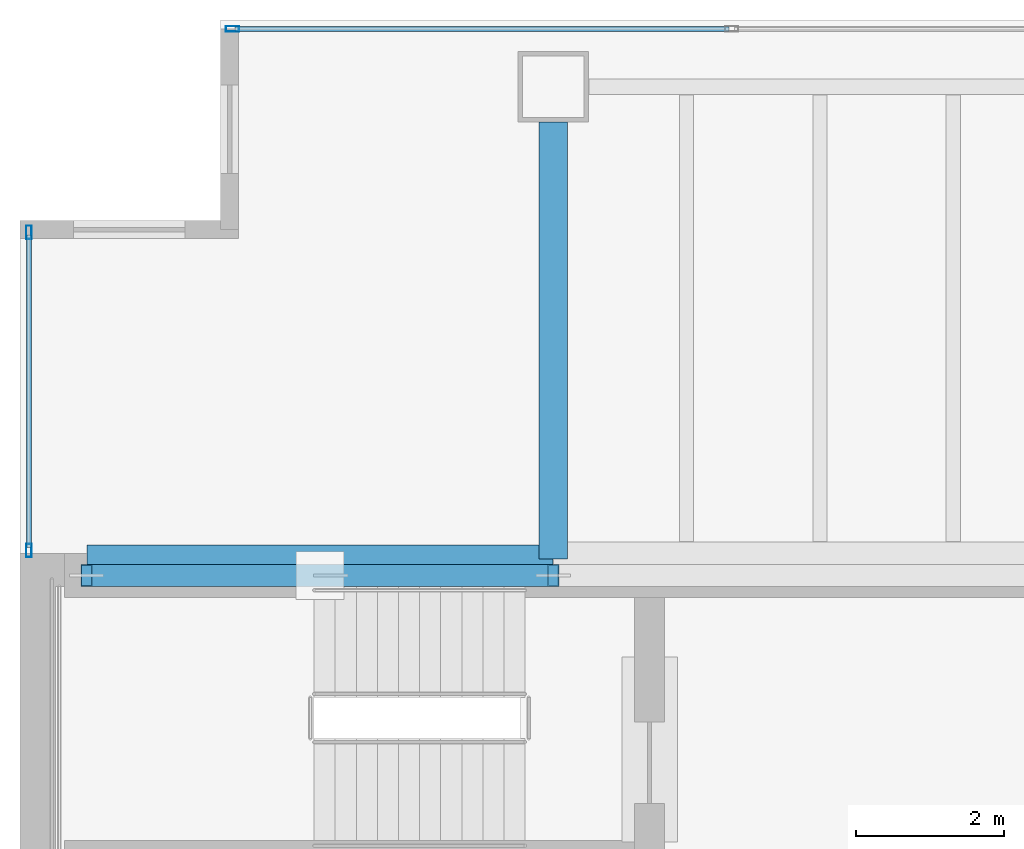
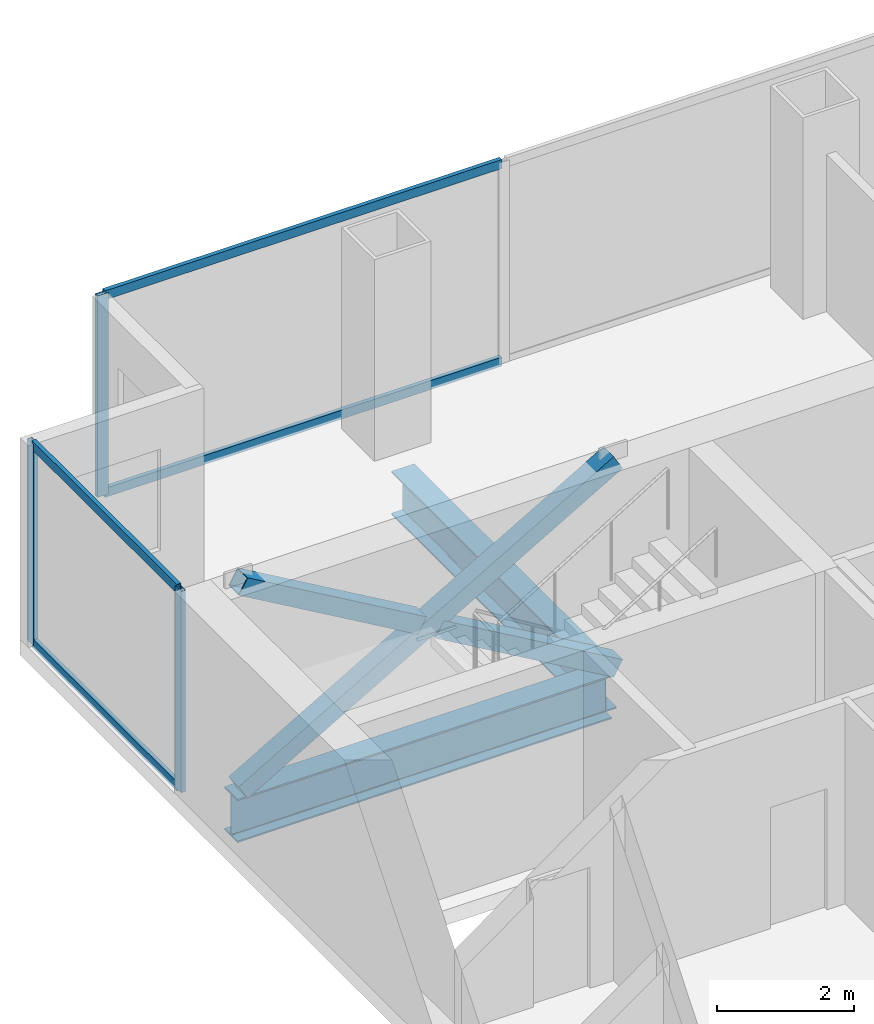
# One storey, part 16 of 24: 10 members, 2 beams, 2 elements without a shape of their own.
"""IFC4 building model written with IfcOpenShell, lengths in metres."""

from ifc_helpers import new_model, si_unit, direction, frame, origin, origin_2d, place, context, subcontext, project, spatial, hollow_rectangle, i_section, extrude, material, material_profile, profile_set, type_object, element, aggregate, save


model = new_model("IFC4")

# Units and contexts
model_context = context("Model", 3, precision=1e-05, world=origin(), true_north=direction((0.0, 1.0)))
body_context = subcontext(model_context, "Body", "Model", "MODEL_VIEW")
ifc_project = project(units=[si_unit("LENGTHUNIT", "METRE"), si_unit("AREAUNIT", "SQUARE_METRE"), si_unit("VOLUMEUNIT", "CUBIC_METRE"), si_unit("PLANEANGLEUNIT", "RADIAN"), si_unit("MASSUNIT", "GRAM", prefix="KILO")], contexts=[model_context])

# Site, building, storey
site_placement = place(None, origin())
site = spatial("IfcSite", under=ifc_project, at=site_placement, CompositionType="ELEMENT")
building_placement = place(site_placement, origin())
building = spatial("IfcBuilding", under=site, at=building_placement, Name="Cobrela Telecom Tower", CompositionType="ELEMENT")
storey_placement = place(building_placement, frame((0.0, 0.0, 106.050048828125)))
storey = spatial("IfcBuildingStorey", under=building, at=storey_placement, Name="L26", CompositionType="ELEMENT", Elevation=106.050048828125)

# Beams
ifc_material_1 = material(Name="Steel ASTM A992 Grade 50", Category="steel")
ifc_material_profile_1 = material_profile(ifc_material_1, i_section(OverallWidth=0.381103515625, OverallDepth=0.77197265625, WebThickness=0.0166015625, FlangeThickness=0.027099609375, FilletRadius=0.01904296875, at=origin_2d()), Name="W30X173")
ifc_profile_set_1 = profile_set([ifc_material_profile_1], Name="Steel ASTM A992 Grade 50")
beam_type = type_object("IfcBeamType", Name="BM-GIRD-04", PredefinedType="USERDEFINED", material=ifc_profile_set_1)
beam_1_placement = place(storey_placement, frame((0.905029296875, 35.919921875, -0.656005859375), z_axis=(1.0, 0.0, 0.0), x_axis=(0.0, 1.0, 0.0)))
element("IfcBeam", 1, at=beam_1_placement, inside=storey, type_object=beam_type, Name="L26 Primary Girder X25", ObjectType="GIRDER", PredefinedType="USERDEFINED", context=body_context, shape_type="SweptSolid", body=[
    extrude(i_section(OverallWidth=0.381103515625, OverallDepth=0.77197265625, WebThickness=0.0166015625, FlangeThickness=0.027099609375, FilletRadius=0.01904296875, at=origin_2d()), origin(), (0.0, 0.0, 1.0), 6.2900390625),
])
beam_2_placement = place(storey_placement, frame((7.199951171875, 35.925048828125, -0.656005859375), z_axis=(0.0, 1.0, 0.0), x_axis=(-1.0, 0.0, 0.0)))
element("IfcBeam", 2, at=beam_2_placement, inside=storey, type_object=beam_type, Name="L26 Primary Girder Y32", ObjectType="GIRDER", PredefinedType="USERDEFINED", context=body_context, shape_type="SweptSolid", body=[
    extrude(i_section(OverallWidth=0.381103515625, OverallDepth=0.77197265625, WebThickness=0.0166015625, FlangeThickness=0.027099609375, FilletRadius=0.01904296875, at=origin_2d()), origin(), (0.0, 0.0, 1.0), 5.89501953125),
])

# Curtain wall, members
ifc_material_2 = material(Name="Anodized Bronze Aluminium 6063-T6", Category="aluminium")
curtain_wall_type = type_object("IfcCurtainWallType", Name="CW-SYS-TEL", PredefinedType="USERDEFINED", material=ifc_material_2)
curtain_wall_1_placement = place(storey_placement, origin())
curtain_wall_1 = element("IfcCurtainWall", 3, at=curtain_wall_1_placement, inside=storey, type_object=curtain_wall_type, Name="L26 Unitised Bronze Curtain Wall 04", ObjectType="UNITISED CURTAIN WALL", PredefinedType="USERDEFINED")
ifc_material_profile_2 = material_profile(ifc_material_2, hollow_rectangle(XDim=0.074951171875, YDim=0.179931640625, WallThickness=0.00390625, at=origin_2d()), Name="ALU 75x180x4")
ifc_profile_set_2 = profile_set([ifc_material_profile_2], Name="Anodized Bronze Aluminium 6063-T6")
member_type_1 = type_object("IfcMemberType", Name="CW-SYS-TEL-MUL", PredefinedType="MULLION", material=ifc_profile_set_2)
member_1_placement = place(storey_placement, frame((0.1201171875, 36.03759765625, 0.0), z_axis=(0.0, 0.0, 1.0), x_axis=(-1.0, 0.0, 0.0)))
member_1 = element("IfcMember", 4, at=member_1_placement, type_object=member_type_1, Name="CW-TEL mullion 1", PredefinedType="MULLION", context=body_context, shape_type="SweptSolid", body=[
    extrude(hollow_rectangle(XDim=0.074951171875, YDim=0.179931640625, WallThickness=0.00390625, at=origin_2d()), origin(), (0.0, 0.0, 1.0), 3.579833984375),
])
member_2_placement = place(storey_placement, frame((0.1201171875, 40.33251953125, 0.0), z_axis=(0.0, 0.0, 1.0), x_axis=(-1.0, 0.0, 0.0)))
member_2 = element("IfcMember", 5, at=member_2_placement, type_object=member_type_1, Name="CW-TEL mullion 2", PredefinedType="MULLION", context=body_context, shape_type="SweptSolid", body=[
    extrude(hollow_rectangle(XDim=0.074951171875, YDim=0.179931640625, WallThickness=0.00390625, at=origin_2d()), origin(), (0.0, 0.0, 1.0), 3.579833984375),
])

# Curtain wall, member
curtain_wall_2_placement = place(storey_placement, origin())
curtain_wall_2 = element("IfcCurtainWall", 6, at=curtain_wall_2_placement, inside=storey, type_object=curtain_wall_type, Name="L26 Unitised Bronze Curtain Wall 07", ObjectType="UNITISED CURTAIN WALL", PredefinedType="USERDEFINED")
member_3_placement = place(storey_placement, frame((2.867431640625, 43.080078125, 0.0), z_axis=(0.0, 0.0, 1.0), x_axis=(0.0, 1.0, 0.0)))
member_3 = element("IfcMember", 7, at=member_3_placement, type_object=member_type_1, Name="CW-TEL mullion 1", PredefinedType="MULLION", context=body_context, shape_type="SweptSolid", body=[
    extrude(hollow_rectangle(XDim=0.074951171875, YDim=0.179931640625, WallThickness=0.00390625, at=origin_2d()), origin(), (0.0, 0.0, 1.0), 3.579833984375),
])

# Member
ifc_material_profile_3 = material_profile(ifc_material_2, hollow_rectangle(XDim=0.070068359375, YDim=0.159912109375, WallThickness=0.00390625, at=origin_2d()), Name="ALU 70x160x4")
ifc_profile_set_3 = profile_set([ifc_material_profile_3], Name="Anodized Bronze Aluminium 6063-T6")
member_type_2 = type_object("IfcMemberType", Name="CW-SYS-TEL-TRN", PredefinedType="USERDEFINED", material=ifc_profile_set_3)
member_4_placement = place(storey_placement, frame((0.1201171875, 36.074951171875, 0.034912109375), z_axis=(0.0, 1.0, 0.0), x_axis=(-1.0, 0.0, 0.0)))
member_4 = element("IfcMember", 8, at=member_4_placement, type_object=member_type_2, Name="CW-TEL transom 1.1", ObjectType="TRANSOM", PredefinedType="USERDEFINED", context=body_context, shape_type="SweptSolid", body=[
    extrude(hollow_rectangle(XDim=0.070068359375, YDim=0.159912109375, WallThickness=0.00390625, at=origin_2d()), origin(), (0.0, 0.0, 1.0), 4.219970703125),
])

member_5_placement = place(storey_placement, frame((0.1201171875, 36.074951171875, 3.544921875), z_axis=(0.0, 1.0, 0.0), x_axis=(-1.0, 0.0, 0.0)))
member_5 = element("IfcMember", 9, at=member_5_placement, type_object=member_type_2, Name="CW-TEL transom 1.2", ObjectType="TRANSOM", PredefinedType="USERDEFINED", context=body_context, shape_type="SweptSolid", body=[
    extrude(hollow_rectangle(XDim=0.070068359375, YDim=0.159912109375, WallThickness=0.00390625, at=origin_2d()), origin(), (0.0, 0.0, 1.0), 4.219970703125),
])

aggregate(curtain_wall_1, [member_1, member_2, member_4, member_5])

member_6_placement = place(storey_placement, frame((2.905029296875, 43.080078125, 0.034912109375), z_axis=(1.0, 0.0, 0.0), x_axis=(0.0, 1.0, 0.0)))
member_6 = element("IfcMember", 10, at=member_6_placement, type_object=member_type_2, Name="CW-TEL transom 1.1", ObjectType="TRANSOM", PredefinedType="USERDEFINED", context=body_context, shape_type="SweptSolid", body=[
    extrude(hollow_rectangle(XDim=0.070068359375, YDim=0.159912109375, WallThickness=0.00390625, at=origin_2d()), origin(), (0.0, 0.0, 1.0), 6.66748046875),
])

member_7_placement = place(storey_placement, frame((2.905029296875, 43.080078125, 3.544921875), z_axis=(1.0, 0.0, 0.0), x_axis=(0.0, 1.0, 0.0)))
member_7 = element("IfcMember", 11, at=member_7_placement, type_object=member_type_2, Name="CW-TEL transom 1.2", ObjectType="TRANSOM", PredefinedType="USERDEFINED", context=body_context, shape_type="SweptSolid", body=[
    extrude(hollow_rectangle(XDim=0.070068359375, YDim=0.159912109375, WallThickness=0.00390625, at=origin_2d()), origin(), (0.0, 0.0, 1.0), 6.66748046875),
])

aggregate(curtain_wall_2, [member_3, member_6, member_7])

# Members
ifc_material_3 = material(Name="Steel ASTM A572 Grade 50", Category="steel")
ifc_material_profile_4 = material_profile(ifc_material_3, hollow_rectangle(XDim=0.300048828125, YDim=0.300048828125, WallThickness=0.01611328125, at=origin_2d()), Name="HSS 300x300x16")
ifc_profile_set_4 = profile_set([ifc_material_profile_4], Name="Steel ASTM A572 Grade 50")
member_type_3 = type_object("IfcMemberType", Name="MBR-EXO-03", PredefinedType="BRACE", material=ifc_profile_set_4)
member_8_placement = place(storey_placement, frame((0.89990234375, 35.699951171875, -0.0400390625), z_axis=(0.864680500519, 0.0, 0.502322239228), x_axis=(0.0, 1.0, 0.0)))
element("IfcMember", 12, at=member_8_placement, inside=storey, type_object=member_type_3, Name="L26 Core Flange Steel X-Brace Continuous A", PredefinedType="BRACE", context=body_context, shape_type="SweptSolid", body=[
    extrude(hollow_rectangle(XDim=0.300048828125, YDim=0.300048828125, WallThickness=0.01611328125, at=origin_2d()), origin(), (0.0, 0.0, 1.0), 7.285888671875),
])
member_9_placement = place(storey_placement, frame((7.199951171875, 35.699951171875, -0.0400390625), z_axis=(-0.864666885148, 0.0, 0.502345675535), x_axis=(0.0, -1.0, 0.0)))
element("IfcMember", 13, at=member_9_placement, inside=storey, type_object=member_type_3, Name="L26 Core Flange Steel X-Brace Split B1", PredefinedType="BRACE", context=body_context, shape_type="SweptSolid", body=[
    extrude(hollow_rectangle(XDim=0.300048828125, YDim=0.300048828125, WallThickness=0.01611328125, at=origin_2d()), origin(), (0.0, 0.0, 1.0), 3.474853515625),
])
member_10_placement = place(storey_placement, frame((3.90478515625, 35.699951171875, 1.874267578125), z_axis=(-0.864684613256, 0.0, 0.502315159634), x_axis=(0.0, -1.0, 0.0)))
element("IfcMember", 14, at=member_10_placement, inside=storey, type_object=member_type_3, Name="L26 Core Flange Steel X-Brace Split B2", PredefinedType="BRACE", context=body_context, shape_type="SweptSolid", body=[
    extrude(hollow_rectangle(XDim=0.300048828125, YDim=0.300048828125, WallThickness=0.01611328125, at=origin_2d()), origin(), (0.0, 0.0, 1.0), 3.47509765625),
])

save(model, "model.ifc")
